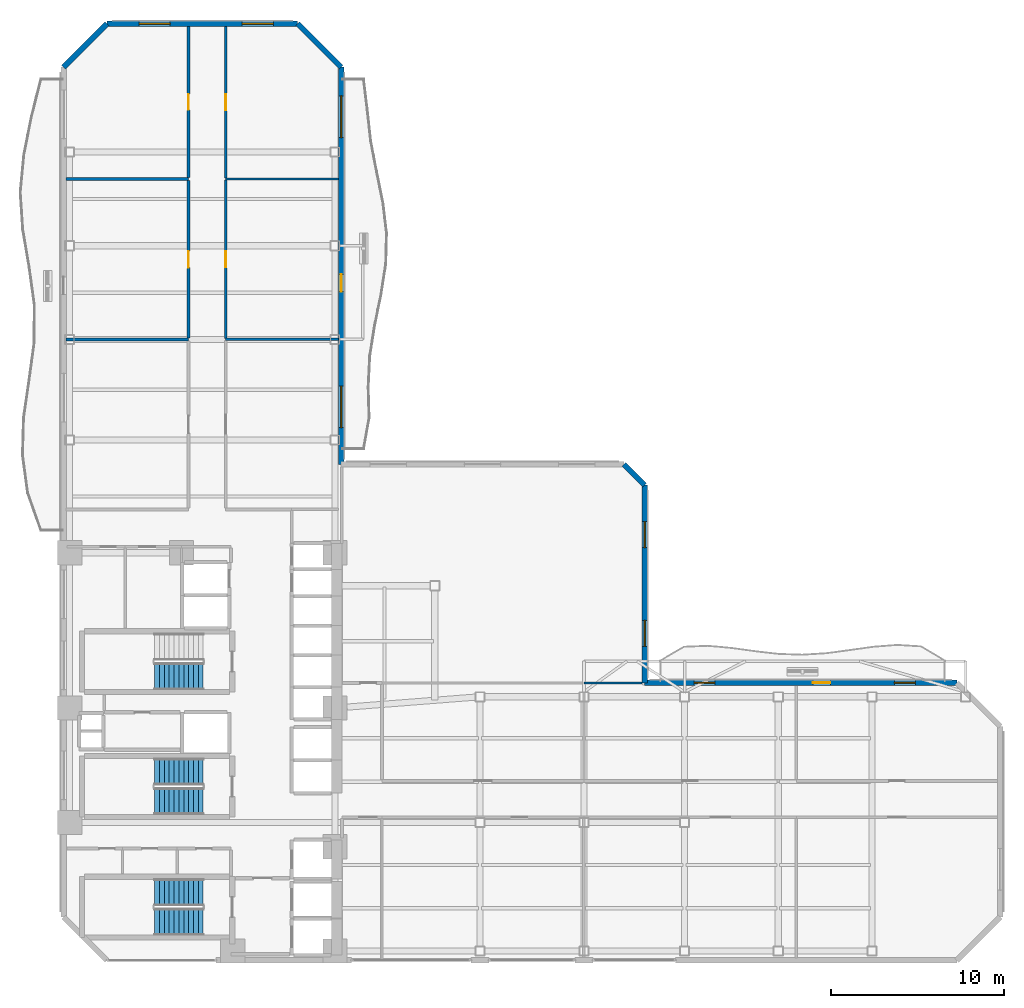
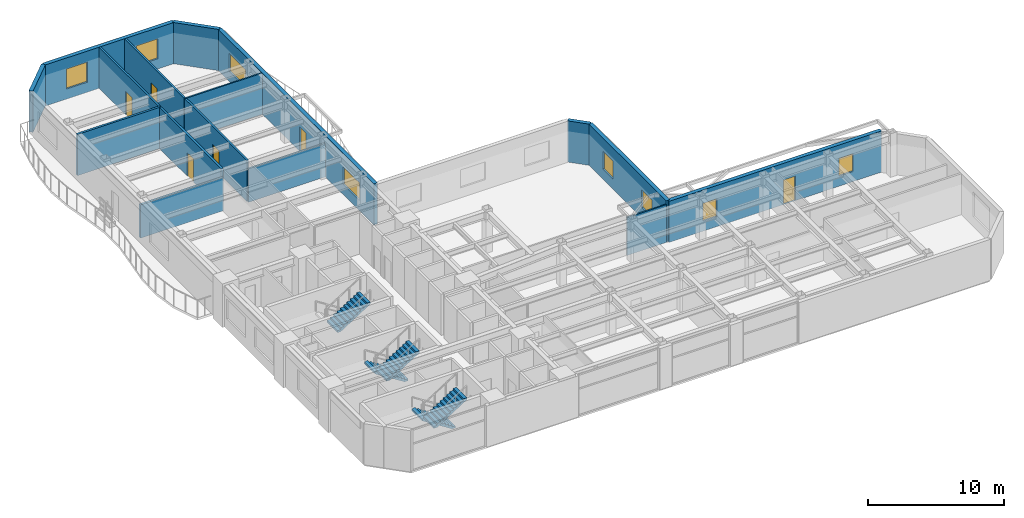
# One storey, part 12 of 16: 16 walls, 8 windows, 6 doors, 5 stair flights, 14 openings, 3 elements without a shape of their own.
"""IFC4 building model written with IfcOpenShell, lengths in metres."""

from ifc_helpers import new_model, si_unit, direction, frame, frame_2d, origin, place, context, subcontext, project, spatial, polyline, rectangle, outline, extrude, material, layer, layer_set, type_object, element, fill, aggregate, save


model = new_model("IFC4")

# Units and contexts
model_context = context("Model", 3, precision=1e-05, world=origin(), true_north=direction((0.0, 1.0)))
body_context = subcontext(model_context, "Body", "Model", "MODEL_VIEW")
ifc_project = project(units=[si_unit("LENGTHUNIT", "METRE"), si_unit("AREAUNIT", "SQUARE_METRE"), si_unit("VOLUMEUNIT", "CUBIC_METRE"), si_unit("PLANEANGLEUNIT", "RADIAN"), si_unit("MASSUNIT", "GRAM", prefix="KILO")], contexts=[model_context])

# Site, building, storey
site_placement = place(None, origin())
site = spatial("IfcSite", under=ifc_project, at=site_placement, CompositionType="ELEMENT")
building_placement = place(site_placement, origin())
building = spatial("IfcBuilding", under=site, at=building_placement, Name="Mawjaban Terraces University", CompositionType="ELEMENT")
storey_placement = place(building_placement, frame((0.0, 0.0, 38.800048828125)))
storey = spatial("IfcBuildingStorey", under=building, at=storey_placement, Name="L08", CompositionType="ELEMENT", Elevation=38.800048828125)

# Walls
ifc_material_1 = material(Name="Acoustic masonry blockwork", Category="masonry")
ifc_layer_1 = layer(ifc_material_1, 0.179931640625)
ifc_layer_set_1 = layer_set([ifc_layer_1], Name="Acoustic masonry blockwork")
wall_type_1 = type_object("IfcWallType", Name="AcousticStudioWall_180", PredefinedType="PARTITIONING", material=ifc_layer_set_1)
wall_1_placement = place(storey_placement, frame((29.199951171875, 35.800048828125, 0.0), z_axis=(0.0, 0.0, 1.0), x_axis=(-1.0, 0.0, 0.0)))
element("IfcWall", 1, at=wall_1_placement, inside=storey, type_object=wall_type_1, Name="L08 Classroom 8 Partition 10", PredefinedType="PARTITIONING", context=body_context, shape_type="SweptSolid", body=[
    extrude(rectangle(XDim=7.044921875, YDim=0.179931640625, at=frame_2d((3.5224609375, 0.0))), origin(), (0.0, 0.0, 1.0), 2.994873046875),
])
wall_2_placement = place(storey_placement, frame((29.199951171875, 45.0400390625, 0.0), z_axis=(0.0, 0.0, 1.0), x_axis=(-1.0, 0.0, 0.0)))
element("IfcWall", 2, at=wall_2_placement, inside=storey, type_object=wall_type_1, Name="L08 Design Studio 10 Partition 11", PredefinedType="PARTITIONING", context=body_context, shape_type="SweptSolid", body=[
    extrude(rectangle(XDim=7.044921875, YDim=0.179931640625, at=frame_2d((3.5224609375, 0.0))), origin(), (0.0, 0.0, 1.0), 3.68994140625),
])

# Wall, opening, door
wall_3_placement = place(storey_placement, frame((29.199951171875, 44.955078125, 0.0), z_axis=(0.0, 0.0, 1.0), x_axis=(0.0, -1.0, 0.0)))
wall_3 = element("IfcWall", 3, at=wall_3_placement, inside=storey, type_object=wall_type_1, Name="L08 North Academic Spine Corridor Partition 34", PredefinedType="PARTITIONING", context=body_context, shape_type="SweptSolid", body=[
    extrude(rectangle(XDim=9.070068359375, YDim=0.179931640625, at=frame_2d((4.53515625, 0.0))), origin(), (0.0, 0.0, 1.0), 3.68994140625),
])
opening_1_placement = place(wall_3_placement, frame((4.06005859375, 0.0, 0.0)))
opening_1 = element("IfcOpeningElement", 4, at=opening_1_placement, cuts=wall_3, Name="Opening ID-095", PredefinedType="OPENING", context=body_context, shape_type="SweptSolid", body=[
    extrude(rectangle(XDim=0.949951171875, YDim=2.10009765625, at=frame_2d((0.47509765625, 1.050048828125))), frame((0.0, 0.099853515625, 0.0), z_axis=(0.0, -1.0, 0.0), x_axis=(1.0, 0.0, 0.0)), (0.0, 0.0, 1.0), 0.199951171875),
])
ifc_material_2 = material(Name="Powder-coated steel frame and solid acoustic timber leaf", Category="steel")
door_type_1 = type_object("IfcDoorType", Name="StudioDoor_950x2100", OperationType="NOTDEFINED", PredefinedType="DOOR", material=ifc_material_2)
door_1_placement = place(opening_1_placement, origin())
door_1 = element("IfcDoor", 5, at=door_1_placement, inside=storey, type_object=door_type_1, Name="L08 Design Studio 10 Door", OperationType="SINGLE_SWING_LEFT", OverallHeight=2.10009765625, OverallWidth=0.949951171875, PredefinedType="DOOR", context=body_context, shape_type="SweptSolid", body=[
    extrude(rectangle(XDim=0.949951171875, YDim=2.10009765625, at=frame_2d((0.47509765625, 1.050048828125))), frame((0.0, 0.02490234375, 0.0), z_axis=(0.0, -1.0, 0.0), x_axis=(1.0, 0.0, 0.0)), (0.0, 0.0, 1.0), 0.050048828125),
])
fill(opening_1, door_1)

ifc_material_3 = material(Name="Fire-rated gypsum board on steel stud", Category="steel")
ifc_layer_2 = layer(ifc_material_3, 0.159912109375)
ifc_layer_set_2 = layer_set([ifc_layer_2], Name="Fire-rated gypsum board on steel stud")
wall_type_2 = type_object("IfcWallType", Name="CorridorPartition_160", PredefinedType="PARTITIONING", material=ifc_layer_set_2)
wall_4_placement = place(storey_placement, frame((29.199951171875, 53.844970703125, 0.0), z_axis=(0.0, 0.0, 1.0), x_axis=(0.0, -1.0, 0.0)))
wall_4 = element("IfcWall", 6, at=wall_4_placement, inside=storey, type_object=wall_type_2, Name="L08 North Academic Spine Corridor Partition 35", PredefinedType="PARTITIONING", context=body_context, shape_type="SweptSolid", body=[
    extrude(rectangle(XDim=8.719970703125, YDim=0.159912109375, at=frame_2d((4.35986328125, 0.0))), origin(), (0.0, 0.0, 1.0), 3.68994140625),
])
opening_2_placement = place(wall_4_placement, frame((3.909912109375, 0.0, 0.0)))
opening_2 = element("IfcOpeningElement", 7, at=opening_2_placement, cuts=wall_4, Name="Opening ID-090", PredefinedType="OPENING", context=body_context, shape_type="SweptSolid", body=[
    extrude(rectangle(XDim=0.89990234375, YDim=2.10009765625, at=frame_2d((0.449951171875, 1.050048828125))), frame((0.0, 0.08984375, 0.0), z_axis=(0.0, -1.0, 0.0), x_axis=(1.0, 0.0, 0.0)), (0.0, 0.0, 1.0), 0.179931640625),
])
door_type_2 = type_object("IfcDoorType", Name="OfficeDoor_900x2100", OperationType="NOTDEFINED", PredefinedType="DOOR", material=ifc_material_2)
door_2_placement = place(opening_2_placement, origin())
door_2 = element("IfcDoor", 8, at=door_2_placement, inside=storey, type_object=door_type_2, Name="L08 Quiet Reading Room 12 Door", OperationType="SINGLE_SWING_LEFT", OverallHeight=2.10009765625, OverallWidth=0.89990234375, PredefinedType="DOOR", context=body_context, shape_type="SweptSolid", body=[
    extrude(rectangle(XDim=0.89990234375, YDim=2.10009765625, at=frame_2d((0.449951171875, 1.050048828125))), frame((0.0, 0.02490234375, 0.0), z_axis=(0.0, -1.0, 0.0), x_axis=(1.0, 0.0, 0.0)), (0.0, 0.0, 1.0), 0.050048828125),
])
fill(opening_2, door_2)

wall_5_placement = place(storey_placement, frame((31.35009765625, 35.866943359375, 0.0), z_axis=(0.0, 0.0, 1.0), x_axis=(0.0, 1.0, 0.0)))
wall_5 = element("IfcWall", 9, at=wall_5_placement, inside=storey, type_object=wall_type_2, Name="L08 North Academic Spine Corridor Partition 37", PredefinedType="PARTITIONING", context=body_context, shape_type="SweptSolid", body=[
    extrude(rectangle(XDim=9.115966796875, YDim=0.159912109375, at=frame_2d((4.55810546875, 0.0))), origin(), (0.0, 0.0, 1.0), 3.68994140625),
])
opening_3_placement = place(wall_5_placement, frame((4.10791015625, 0.0, 0.0)))
opening_3 = element("IfcOpeningElement", 10, at=opening_3_placement, cuts=wall_5, Name="Opening ID-090", PredefinedType="OPENING", context=body_context, shape_type="SweptSolid", body=[
    extrude(rectangle(XDim=0.89990234375, YDim=2.10009765625, at=frame_2d((0.449951171875, 1.050048828125))), frame((0.0, 0.08984375, 0.0), z_axis=(0.0, -1.0, 0.0), x_axis=(1.0, 0.0, 0.0)), (0.0, 0.0, 1.0), 0.179931640625),
])
door_3_placement = place(opening_3_placement, origin())
door_3 = element("IfcDoor", 11, at=door_3_placement, inside=storey, type_object=door_type_2, Name="L08 Faculty Office 11 Door", OperationType="SINGLE_SWING_RIGHT", OverallHeight=2.10009765625, OverallWidth=0.89990234375, PredefinedType="DOOR", context=body_context, shape_type="SweptSolid", body=[
    extrude(rectangle(XDim=0.89990234375, YDim=2.10009765625, at=frame_2d((0.449951171875, 1.050048828125))), frame((0.0, 0.02490234375, 0.0), z_axis=(0.0, -1.0, 0.0), x_axis=(1.0, 0.0, 0.0)), (0.0, 0.0, 1.0), 0.050048828125),
])
fill(opening_3, door_3)

wall_6_placement = place(storey_placement, frame((31.35009765625, 45.096923828125, 0.0), z_axis=(0.0, 0.0, 1.0), x_axis=(0.0, 1.0, 0.0)))
wall_6 = element("IfcWall", 12, at=wall_6_placement, inside=storey, type_object=wall_type_2, Name="L08 North Academic Spine Corridor Partition 38", PredefinedType="PARTITIONING", context=body_context, shape_type="SweptSolid", body=[
    extrude(rectangle(XDim=8.748046875, YDim=0.159912109375, at=frame_2d((4.3740234375, 0.0))), origin(), (0.0, 0.0, 1.0), 3.68994140625),
])
opening_4_placement = place(wall_6_placement, frame((3.924072265625, 0.0, 0.0)))
opening_4 = element("IfcOpeningElement", 13, at=opening_4_placement, cuts=wall_6, Name="Opening ID-090", PredefinedType="OPENING", context=body_context, shape_type="SweptSolid", body=[
    extrude(rectangle(XDim=0.89990234375, YDim=2.10009765625, at=frame_2d((0.449951171875, 1.050048828125))), frame((0.0, 0.08984375, 0.0), z_axis=(0.0, -1.0, 0.0), x_axis=(1.0, 0.0, 0.0)), (0.0, 0.0, 1.0), 0.179931640625),
])
door_4_placement = place(opening_4_placement, origin())
door_4 = element("IfcDoor", 14, at=door_4_placement, inside=storey, type_object=door_type_2, Name="L08 Collaborative Study Room 13 Door", OperationType="SINGLE_SWING_RIGHT", OverallHeight=2.10009765625, OverallWidth=0.89990234375, PredefinedType="DOOR", context=body_context, shape_type="SweptSolid", body=[
    extrude(rectangle(XDim=0.89990234375, YDim=2.10009765625, at=frame_2d((0.449951171875, 1.050048828125))), frame((0.0, 0.02490234375, 0.0), z_axis=(0.0, -1.0, 0.0), x_axis=(1.0, 0.0, 0.0)), (0.0, 0.0, 1.0), 0.050048828125),
])
fill(opening_4, door_4)

# Wall, openings, door, windows
ifc_material_4 = material(Name="Insulated terracotta rainscreen on concrete backup C40/50", Category="masonry")
ifc_layer_3 = layer(ifc_material_4, 0.320068359375)
ifc_layer_set_3 = layer_set([ifc_layer_3], Name="Insulated terracotta rainscreen on concrete backup C40/50")
wall_type_3 = type_object("IfcWallType", Name="ExtTerracottaWall_320", PredefinedType="SOLIDWALL", material=ifc_layer_set_3)
wall_7_placement = place(storey_placement, frame((73.5, 16.0, 0.0), z_axis=(0.0, 0.0, 1.0), x_axis=(-1.0, 0.0, 0.0)))
wall_7 = element("IfcWall", 15, at=wall_7_placement, inside=storey, type_object=wall_type_3, Name="L08 Exterior Terracotta Wall 5", PredefinedType="SOLIDWALL", context=body_context, shape_type="SweptSolid", body=[
    extrude(rectangle(XDim=18.0, YDim=0.320068359375, at=frame_2d((9.0, 0.0))), origin(), (0.0, 0.0, 1.0), 3.68994140625),
])
opening_5_placement = place(wall_7_placement, frame((7.300048828125, 0.0, 0.0)))
opening_5 = element("IfcOpeningElement", 16, at=opening_5_placement, cuts=wall_7, Name="Opening BD-100", PredefinedType="OPENING", context=body_context, shape_type="SweptSolid", body=[
    extrude(rectangle(XDim=1.0, YDim=2.199951171875, at=frame_2d((0.5, 1.10009765625))), frame((0.0, 0.169921875, 0.0), z_axis=(0.0, -1.0, 0.0), x_axis=(1.0, 0.0, 0.0)), (0.0, 0.0, 1.0), 0.340087890625),
])
opening_6_placement = place(wall_7_placement, frame((2.39990234375, 0.0, 0.89990234375)))
opening_6 = element("IfcOpeningElement", 17, at=opening_6_placement, cuts=wall_7, Name="Opening W-01", PredefinedType="OPENING", context=body_context, shape_type="SweptSolid", body=[
    extrude(rectangle(XDim=1.199951171875, YDim=1.60009765625, at=frame_2d((0.60009765625, 0.800048828125))), frame((0.0, 0.169921875, 0.0), z_axis=(0.0, -1.0, 0.0), x_axis=(1.0, 0.0, 0.0)), (0.0, 0.0, 1.0), 0.340087890625),
])
opening_7_placement = place(wall_7_placement, frame((13.949951171875, 0.0, 0.89990234375)))
opening_7 = element("IfcOpeningElement", 18, at=opening_7_placement, cuts=wall_7, Name="Opening W-01", PredefinedType="OPENING", context=body_context, shape_type="SweptSolid", body=[
    extrude(rectangle(XDim=1.199951171875, YDim=1.60009765625, at=frame_2d((0.60009765625, 0.800048828125))), frame((0.0, 0.169921875, 0.0), z_axis=(0.0, -1.0, 0.0), x_axis=(1.0, 0.0, 0.0)), (0.0, 0.0, 1.0), 0.340087890625),
])
ifc_material_5 = material(Name="Thermally broken anodised aluminium and laminated safety glass", Category="aluminium")
door_type_3 = type_object("IfcDoorType", Name="BalconyGlazedDoor_1000x2200", OperationType="NOTDEFINED", PredefinedType="DOOR", material=ifc_material_5)
door_5_placement = place(opening_5_placement, origin())
door_5 = element("IfcDoor", 19, at=door_5_placement, inside=storey, type_object=door_type_3, Name="L08 Balcony Access Door inner_north", OperationType="SINGLE_SWING_LEFT", OverallHeight=2.199951171875, OverallWidth=1.0, PredefinedType="DOOR", context=body_context, shape_type="SweptSolid", body=[
    extrude(rectangle(XDim=1.0, YDim=2.199951171875, at=frame_2d((0.5, 1.10009765625))), frame((0.0, 0.02490234375, 0.0), z_axis=(0.0, -1.0, 0.0), x_axis=(1.0, 0.0, 0.0)), (0.0, 0.0, 1.0), 0.050048828125),
])
fill(opening_5, door_5)
ifc_material_6 = material(Name="Low-E solar-control double glazing in thermally broken aluminium frame", Category="aluminium")
window_type_1 = type_object("IfcWindowType", Name="Win_1200x1600", PartitioningType="SINGLE_PANEL", PredefinedType="WINDOW", material=ifc_material_6)
window_1_placement = place(opening_6_placement, origin())
window_1 = element("IfcWindow", 20, at=window_1_placement, inside=storey, type_object=window_type_1, Name="L08 Facade Window 5.1", OverallHeight=1.60009765625, OverallWidth=1.199951171875, PartitioningType="SINGLE_PANEL", PredefinedType="WINDOW", context=body_context, shape_type="SweptSolid", body=[
    extrude(rectangle(XDim=1.199951171875, YDim=1.60009765625, at=frame_2d((0.60009765625, 0.800048828125))), frame((0.0, 0.030029296875, 0.0), z_axis=(0.0, -1.0, 0.0), x_axis=(1.0, 0.0, 0.0)), (0.0, 0.0, 1.0), 0.06005859375),
])
fill(opening_6, window_1)
window_2_placement = place(opening_7_placement, origin())
window_2 = element("IfcWindow", 21, at=window_2_placement, inside=storey, type_object=window_type_1, Name="L08 Facade Window 5.3", OverallHeight=1.60009765625, OverallWidth=1.199951171875, PartitioningType="SINGLE_PANEL", PredefinedType="WINDOW", context=body_context, shape_type="SweptSolid", body=[
    extrude(rectangle(XDim=1.199951171875, YDim=1.60009765625, at=frame_2d((0.60009765625, 0.800048828125))), frame((0.0, 0.030029296875, 0.0), z_axis=(0.0, -1.0, 0.0), x_axis=(1.0, 0.0, 0.0)), (0.0, 0.0, 1.0), 0.06005859375),
])
fill(opening_7, window_2)

# Wall, openings, windows
wall_8_placement = place(storey_placement, frame((55.5, 16.0, 0.0), z_axis=(0.0, 0.0, 1.0), x_axis=(0.0, 1.0, 0.0)))
wall_8 = element("IfcWall", 22, at=wall_8_placement, inside=storey, type_object=wall_type_3, Name="L08 Exterior Terracotta Wall 6", PredefinedType="SOLIDWALL", context=body_context, shape_type="SweptSolid", body=[
    extrude(rectangle(XDim=11.39990234375, YDim=0.320068359375, at=frame_2d((5.699951171875, 0.0))), origin(), (0.0, 0.0, 1.0), 3.68994140625),
])
opening_8_placement = place(wall_8_placement, frame((2.10009765625, 0.0, 0.89990234375)))
opening_8 = element("IfcOpeningElement", 23, at=opening_8_placement, cuts=wall_8, Name="Opening W-02", PredefinedType="OPENING", context=body_context, shape_type="SweptSolid", body=[
    extrude(rectangle(XDim=1.5, YDim=1.60009765625, at=frame_2d((0.75, 0.800048828125))), frame((0.0, 0.169921875, 0.0), z_axis=(0.0, -1.0, 0.0), x_axis=(1.0, 0.0, 0.0)), (0.0, 0.0, 1.0), 0.340087890625),
])
opening_9_placement = place(wall_8_placement, frame((7.800048828125, 0.0, 0.89990234375)))
opening_9 = element("IfcOpeningElement", 24, at=opening_9_placement, cuts=wall_8, Name="Opening W-02", PredefinedType="OPENING", context=body_context, shape_type="SweptSolid", body=[
    extrude(rectangle(XDim=1.5, YDim=1.60009765625, at=frame_2d((0.75, 0.800048828125))), frame((0.0, 0.169921875, 0.0), z_axis=(0.0, -1.0, 0.0), x_axis=(1.0, 0.0, 0.0)), (0.0, 0.0, 1.0), 0.340087890625),
])
window_type_2 = type_object("IfcWindowType", Name="Win_1500x1600", PartitioningType="SINGLE_PANEL", PredefinedType="WINDOW", material=ifc_material_6)
window_3_placement = place(opening_8_placement, origin())
window_3 = element("IfcWindow", 25, at=window_3_placement, inside=storey, type_object=window_type_2, Name="L08 Facade Window 6.1", OverallHeight=1.60009765625, OverallWidth=1.5, PartitioningType="SINGLE_PANEL", PredefinedType="WINDOW", context=body_context, shape_type="SweptSolid", body=[
    extrude(rectangle(XDim=1.5, YDim=1.60009765625, at=frame_2d((0.75, 0.800048828125))), frame((0.0, 0.030029296875, 0.0), z_axis=(0.0, -1.0, 0.0), x_axis=(1.0, 0.0, 0.0)), (0.0, 0.0, 1.0), 0.06005859375),
])
fill(opening_8, window_3)
window_4_placement = place(opening_9_placement, origin())
window_4 = element("IfcWindow", 26, at=window_4_placement, inside=storey, type_object=window_type_2, Name="L08 Facade Window 6.2", OverallHeight=1.60009765625, OverallWidth=1.5, PartitioningType="SINGLE_PANEL", PredefinedType="WINDOW", context=body_context, shape_type="SweptSolid", body=[
    extrude(rectangle(XDim=1.5, YDim=1.60009765625, at=frame_2d((0.75, 0.800048828125))), frame((0.0, 0.030029296875, 0.0), z_axis=(0.0, -1.0, 0.0), x_axis=(1.0, 0.0, 0.0)), (0.0, 0.0, 1.0), 0.06005859375),
])
fill(opening_9, window_4)

# Wall
wall_9_placement = place(storey_placement, frame((55.5, 27.39990234375, 0.0), z_axis=(0.0, 0.0, 1.0), x_axis=(-0.707034851297, 0.707178703759, 0.0)))
element("IfcWall", 27, at=wall_9_placement, inside=storey, type_object=wall_type_3, Name="L08 Exterior Terracotta Wall 7", PredefinedType="SOLIDWALL", context=body_context, shape_type="SweptSolid", body=[
    extrude(rectangle(XDim=1.697265625, YDim=0.320068359375, at=frame_2d((0.8486328125, 0.0))), origin(), (0.0, 0.0, 1.0), 3.68994140625),
])

# Wall, openings, door, windows
wall_10_placement = place(storey_placement, frame((38.0, 28.60009765625, 0.0), z_axis=(0.0, 0.0, 1.0), x_axis=(0.0, 1.0, 0.0)))
wall_10 = element("IfcWall", 28, at=wall_10_placement, inside=storey, type_object=wall_type_3, Name="L08 Exterior Terracotta Wall 9", PredefinedType="SOLIDWALL", context=body_context, shape_type="SweptSolid", body=[
    extrude(rectangle(XDim=22.89990234375, YDim=0.320068359375, at=frame_2d((11.449951171875, 0.0))), origin(), (0.0, 0.0, 1.0), 3.68994140625),
])
opening_10_placement = place(wall_10_placement, frame((9.949951171875, 0.0, 0.0)))
opening_10 = element("IfcOpeningElement", 29, at=opening_10_placement, cuts=wall_10, Name="Opening BD-100", PredefinedType="OPENING", context=body_context, shape_type="SweptSolid", body=[
    extrude(rectangle(XDim=1.0, YDim=2.199951171875, at=frame_2d((0.5, 1.10009765625))), frame((0.0, 0.169921875, 0.0), z_axis=(0.0, -1.0, 0.0), x_axis=(1.0, 0.0, 0.0)), (0.0, 0.0, 1.0), 0.340087890625),
])
opening_11_placement = place(wall_10_placement, frame((2.112060546875, 0.0, 0.89990234375)))
opening_11 = element("IfcOpeningElement", 30, at=opening_11_placement, cuts=wall_10, Name="Opening W-05", PredefinedType="OPENING", context=body_context, shape_type="SweptSolid", body=[
    extrude(rectangle(XDim=2.39990234375, YDim=1.60009765625, at=frame_2d((1.199951171875, 0.800048828125))), frame((0.0, 0.169921875, 0.0), z_axis=(0.0, -1.0, 0.0), x_axis=(1.0, 0.0, 0.0)), (0.0, 0.0, 1.0), 0.340087890625),
])
opening_12_placement = place(wall_10_placement, frame((18.8369140625, 0.0, 0.89990234375)))
opening_12 = element("IfcOpeningElement", 31, at=opening_12_placement, cuts=wall_10, Name="Opening W-05", PredefinedType="OPENING", context=body_context, shape_type="SweptSolid", body=[
    extrude(rectangle(XDim=2.39990234375, YDim=1.60009765625, at=frame_2d((1.199951171875, 0.800048828125))), frame((0.0, 0.169921875, 0.0), z_axis=(0.0, -1.0, 0.0), x_axis=(1.0, 0.0, 0.0)), (0.0, 0.0, 1.0), 0.340087890625),
])
door_6_placement = place(opening_10_placement, origin())
door_6 = element("IfcDoor", 32, at=door_6_placement, inside=storey, type_object=door_type_3, Name="L08 Balcony Access Door inner_east", OperationType="SINGLE_SWING_LEFT", OverallHeight=2.199951171875, OverallWidth=1.0, PredefinedType="DOOR", context=body_context, shape_type="SweptSolid", body=[
    extrude(rectangle(XDim=1.0, YDim=2.199951171875, at=frame_2d((0.5, 1.10009765625))), frame((0.0, 0.02490234375, 0.0), z_axis=(0.0, -1.0, 0.0), x_axis=(1.0, 0.0, 0.0)), (0.0, 0.0, 1.0), 0.050048828125),
])
fill(opening_10, door_6)
window_type_3 = type_object("IfcWindowType", Name="Win_2400x1600", PartitioningType="SINGLE_PANEL", PredefinedType="WINDOW", material=ifc_material_6)
window_5_placement = place(opening_11_placement, origin())
window_5 = element("IfcWindow", 33, at=window_5_placement, inside=storey, type_object=window_type_3, Name="L08 Facade Window 9.1", OverallHeight=1.60009765625, OverallWidth=2.39990234375, PartitioningType="SINGLE_PANEL", PredefinedType="WINDOW", context=body_context, shape_type="SweptSolid", body=[
    extrude(rectangle(XDim=2.39990234375, YDim=1.60009765625, at=frame_2d((1.199951171875, 0.800048828125))), frame((0.0, 0.030029296875, 0.0), z_axis=(0.0, -1.0, 0.0), x_axis=(1.0, 0.0, 0.0)), (0.0, 0.0, 1.0), 0.06005859375),
])
fill(opening_11, window_5)
window_6_placement = place(opening_12_placement, origin())
window_6 = element("IfcWindow", 34, at=window_6_placement, inside=storey, type_object=window_type_3, Name="L08 Facade Window 9.4", OverallHeight=1.60009765625, OverallWidth=2.39990234375, PartitioningType="SINGLE_PANEL", PredefinedType="WINDOW", context=body_context, shape_type="SweptSolid", body=[
    extrude(rectangle(XDim=2.39990234375, YDim=1.60009765625, at=frame_2d((1.199951171875, 0.800048828125))), frame((0.0, 0.030029296875, 0.0), z_axis=(0.0, -1.0, 0.0), x_axis=(1.0, 0.0, 0.0)), (0.0, 0.0, 1.0), 0.06005859375),
])
fill(opening_12, window_6)

# Wall
wall_11_placement = place(storey_placement, frame((38.0, 51.5, 0.0), z_axis=(0.0, 0.0, 1.0), x_axis=(-0.707106781187, 0.707106781187, 0.0)))
element("IfcWall", 35, at=wall_11_placement, inside=storey, type_object=wall_type_3, Name="L08 Exterior Terracotta Wall 10", PredefinedType="SOLIDWALL", context=body_context, shape_type="SweptSolid", body=[
    extrude(rectangle(XDim=3.53564453125, YDim=0.320068359375, at=frame_2d((1.767822265625, 0.0))), origin(), (0.0, 0.0, 1.0), 3.68994140625),
])

# Wall, openings, windows
wall_12_placement = place(storey_placement, frame((35.5, 54.0, 0.0), z_axis=(0.0, 0.0, 1.0), x_axis=(-1.0, 0.0, 0.0)))
wall_12 = element("IfcWall", 36, at=wall_12_placement, inside=storey, type_object=wall_type_3, Name="L08 Exterior Terracotta Wall 11", PredefinedType="SOLIDWALL", context=body_context, shape_type="SweptSolid", body=[
    extrude(rectangle(XDim=11.0, YDim=0.320068359375, at=frame_2d((5.5, 0.0))), origin(), (0.0, 0.0, 1.0), 3.68994140625),
])
opening_13_placement = place(wall_12_placement, frame((1.39990234375, 0.0, 0.89990234375)))
opening_13 = element("IfcOpeningElement", 37, at=opening_13_placement, cuts=wall_12, Name="Opening W-07", PredefinedType="OPENING", context=body_context, shape_type="SweptSolid", body=[
    extrude(rectangle(XDim=1.800048828125, YDim=1.800048828125, at=frame_2d((0.89990234375, 0.89990234375))), frame((0.0, 0.169921875, 0.0), z_axis=(0.0, -1.0, 0.0), x_axis=(1.0, 0.0, 0.0)), (0.0, 0.0, 1.0), 0.340087890625),
])
opening_14_placement = place(wall_12_placement, frame((7.35009765625, 0.0, 0.89990234375)))
opening_14 = element("IfcOpeningElement", 38, at=opening_14_placement, cuts=wall_12, Name="Opening W-07", PredefinedType="OPENING", context=body_context, shape_type="SweptSolid", body=[
    extrude(rectangle(XDim=1.800048828125, YDim=1.800048828125, at=frame_2d((0.89990234375, 0.89990234375))), frame((0.0, 0.169921875, 0.0), z_axis=(0.0, -1.0, 0.0), x_axis=(1.0, 0.0, 0.0)), (0.0, 0.0, 1.0), 0.340087890625),
])
window_type_4 = type_object("IfcWindowType", Name="Win_1800x1800", PartitioningType="SINGLE_PANEL", PredefinedType="WINDOW", material=ifc_material_6)
window_7_placement = place(opening_13_placement, origin())
window_7 = element("IfcWindow", 39, at=window_7_placement, inside=storey, type_object=window_type_4, Name="L08 Facade Window 11.1", OverallHeight=1.800048828125, OverallWidth=1.800048828125, PartitioningType="SINGLE_PANEL", PredefinedType="WINDOW", context=body_context, shape_type="SweptSolid", body=[
    extrude(rectangle(XDim=1.800048828125, YDim=1.800048828125, at=frame_2d((0.89990234375, 0.89990234375))), frame((0.0, 0.030029296875, 0.0), z_axis=(0.0, -1.0, 0.0), x_axis=(1.0, 0.0, 0.0)), (0.0, 0.0, 1.0), 0.06005859375),
])
fill(opening_13, window_7)
window_8_placement = place(opening_14_placement, origin())
window_8 = element("IfcWindow", 40, at=window_8_placement, inside=storey, type_object=window_type_4, Name="L08 Facade Window 11.2", OverallHeight=1.800048828125, OverallWidth=1.800048828125, PartitioningType="SINGLE_PANEL", PredefinedType="WINDOW", context=body_context, shape_type="SweptSolid", body=[
    extrude(rectangle(XDim=1.800048828125, YDim=1.800048828125, at=frame_2d((0.89990234375, 0.89990234375))), frame((0.0, 0.030029296875, 0.0), z_axis=(0.0, -1.0, 0.0), x_axis=(1.0, 0.0, 0.0)), (0.0, 0.0, 1.0), 0.06005859375),
])
fill(opening_14, window_8)

# Walls
wall_13_placement = place(storey_placement, frame((24.5, 54.0, 0.0), z_axis=(0.0, 0.0, 1.0), x_axis=(-0.707106781187, -0.707106781187, 0.0)))
element("IfcWall", 41, at=wall_13_placement, inside=storey, type_object=wall_type_3, Name="L08 Exterior Terracotta Wall 12", PredefinedType="SOLIDWALL", context=body_context, shape_type="SweptSolid", body=[
    extrude(rectangle(XDim=3.53564453125, YDim=0.320068359375, at=frame_2d((1.767822265625, 0.0))), origin(), (0.0, 0.0, 1.0), 3.68994140625),
])
ifc_material_7 = material(Name="Moisture-resistant gypsum board on steel stud", Category="steel")
ifc_layer_4 = layer(ifc_material_7, 0.14501953125)
ifc_layer_set_4 = layer_set([ifc_layer_4], Name="Moisture-resistant gypsum board on steel stud")
wall_type_4 = type_object("IfcWallType", Name="LabPartition_145", PredefinedType="PARTITIONING", material=ifc_layer_set_4)
wall_14_placement = place(storey_placement, frame((37.844970703125, 35.800048828125, 0.0), z_axis=(0.0, 0.0, 1.0), x_axis=(-1.0, 0.0, 0.0)))
element("IfcWall", 42, at=wall_14_placement, inside=storey, type_object=wall_type_4, Name="L08 Computational Laboratory 9 Partition 16", PredefinedType="PARTITIONING", context=body_context, shape_type="SweptSolid", body=[
    extrude(rectangle(XDim=6.494873046875, YDim=0.14501953125, at=frame_2d((3.24755859375, 0.0))), origin(), (0.0, 0.0, 1.0), 2.994873046875),
])
ifc_material_8 = material(Name="Gypsum plasterboard on steel stud", Category="steel")
ifc_layer_5 = layer(ifc_material_8, 0.125)
ifc_layer_set_5 = layer_set([ifc_layer_5], Name="Gypsum plasterboard on steel stud")
wall_type_5 = type_object("IfcWallType", Name="OfficePartition_125", PredefinedType="PARTITIONING", material=ifc_layer_set_5)
wall_15_placement = place(storey_placement, frame((37.844970703125, 45.0400390625, 0.0), z_axis=(0.0, 0.0, 1.0), x_axis=(-1.0, 0.0, 0.0)))
element("IfcWall", 43, at=wall_15_placement, inside=storey, type_object=wall_type_5, Name="L08 Faculty Office 11 Partition 17", PredefinedType="PARTITIONING", context=body_context, shape_type="SweptSolid", body=[
    extrude(rectangle(XDim=6.494873046875, YDim=0.125, at=frame_2d((3.24755859375, 0.0))), origin(), (0.0, 0.0, 1.0), 3.68994140625),
])
wall_16_placement = place(storey_placement, frame((52.0, 16.0, 0.0), z_axis=(0.0, 0.0, 1.0), x_axis=(1.0, 0.0, 0.0)))
element("IfcWall", 44, at=wall_16_placement, inside=storey, type_object=wall_type_5, Name="L08 Terrace Collaborative Study Room Partition 23", PredefinedType="PARTITIONING", context=body_context, shape_type="SweptSolid", body=[
    extrude(rectangle(XDim=3.344970703125, YDim=0.125, at=frame_2d((1.67236328125, 0.0))), origin(), (0.0, 0.0, 1.0), 3.389892578125),
])

# Stair, stair flights
ifc_material_9 = material(Name="Concrete C40/50", Category="concrete")
stair_type = type_object("IfcStairType", Name="Stair_Core1550_H39", PredefinedType="HALF_TURN_STAIR", material=ifc_material_9)
stair_1_placement = place(storey_placement, origin())
stair_1 = element("IfcStair", 45, at=stair_1_placement, inside=storey, type_object=stair_type, Name="L08 Core Exit Stair 1", PredefinedType="HALF_TURN_STAIR")
stair_flight_type = type_object("IfcStairFlightType", Name="Flight_Core1550_H39", PredefinedType="STRAIGHT", material=ifc_material_9)
stair_flight_1_placement = place(storey_placement, frame((30.050048828125, 3.925048828125, 0.0), z_axis=(0.0, 0.0, 1.0), x_axis=(-1.0, 0.0, 0.0)))
stair_flight_1 = element("IfcStairFlight", 46, at=stair_flight_1_placement, type_object=stair_flight_type, Name="ST-1 flight 1", NumberOfRisers=11, NumberOfTreads=10, PredefinedType="STRAIGHT", RiserHeight=0.177272727, TreadLength=0.28, context=body_context, shape_type="SweptSolid", body=[
    extrude(outline(polyline([(0.0, 0.0), (0.0, 0.17724609375), (0.280029296875, 0.17724609375), (0.280029296875, 0.3544921875), (0.56005859375, 0.3544921875), (0.56005859375, 0.53173828125), (0.840087890625, 0.53173828125), (0.840087890625, 0.708984375), (1.1201171875, 0.708984375), (1.1201171875, 0.886474609375), (1.39990234375, 0.886474609375), (1.39990234375, 1.063720703125), (1.679931640625, 1.063720703125), (1.679931640625, 1.240966796875), (1.9599609375, 1.240966796875), (1.9599609375, 1.418212890625), (2.239990234375, 1.418212890625), (2.239990234375, 1.595458984375), (2.52001953125, 1.595458984375), (2.52001953125, 1.772705078125), (2.800048828125, 1.772705078125), (2.800048828125, 1.949951171875), (2.800048828125, 1.59521484375), (0.2802734375, 0.0), (0.0, 0.0)])), frame((0.0, 0.77490234375, 0.0), z_axis=(0.0, -1.0, 0.0), x_axis=(1.0, 0.0, 0.0)), (0.0, 0.0, 1.0), 1.550048828125),
])
stair_flight_2_placement = place(storey_placement, frame((27.25, 2.22509765625, 1.949951171875), z_axis=(0.0, 0.0, 1.0), x_axis=(1.0, 0.0, 0.0)))
stair_flight_2 = element("IfcStairFlight", 47, at=stair_flight_2_placement, type_object=stair_flight_type, Name="ST-1 flight 2", NumberOfRisers=11, NumberOfTreads=10, PredefinedType="STRAIGHT", RiserHeight=0.177272727, TreadLength=0.28, context=body_context, shape_type="SweptSolid", body=[
    extrude(outline(polyline([(0.0, 0.0), (0.0, 0.17724609375), (0.280029296875, 0.17724609375), (0.280029296875, 0.3544921875), (0.56005859375, 0.3544921875), (0.56005859375, 0.53173828125), (0.840087890625, 0.53173828125), (0.840087890625, 0.708984375), (1.1201171875, 0.708984375), (1.1201171875, 0.886474609375), (1.39990234375, 0.886474609375), (1.39990234375, 1.063720703125), (1.679931640625, 1.063720703125), (1.679931640625, 1.240966796875), (1.9599609375, 1.240966796875), (1.9599609375, 1.418212890625), (2.239990234375, 1.418212890625), (2.239990234375, 1.595458984375), (2.52001953125, 1.595458984375), (2.52001953125, 1.772705078125), (2.800048828125, 1.772705078125), (2.800048828125, 1.949951171875), (2.800048828125, 1.59521484375), (0.2802734375, 0.0), (0.0, 0.0)])), frame((0.0, 0.77490234375, 0.0), z_axis=(0.0, -1.0, 0.0), x_axis=(1.0, 0.0, 0.0)), (0.0, 0.0, 1.0), 1.550048828125),
])
aggregate(stair_1, [stair_flight_1, stair_flight_2])

# Stair, stair flight
stair_2_placement = place(storey_placement, origin())
stair_2 = element("IfcStair", 48, at=stair_2_placement, inside=storey, type_object=stair_type, Name="L08 Core Exit Stair 2", PredefinedType="HALF_TURN_STAIR")
stair_flight_3_placement = place(storey_placement, frame((27.25, 16.375, 1.949951171875), z_axis=(0.0, 0.0, 1.0), x_axis=(1.0, 0.0, 0.0)))
stair_flight_3 = element("IfcStairFlight", 49, at=stair_flight_3_placement, type_object=stair_flight_type, Name="ST-2 flight 2", NumberOfRisers=11, NumberOfTreads=10, PredefinedType="STRAIGHT", RiserHeight=0.177272727, TreadLength=0.28, context=body_context, shape_type="SweptSolid", body=[
    extrude(outline(polyline([(0.0, 0.0), (0.0, 0.17724609375), (0.280029296875, 0.17724609375), (0.280029296875, 0.3544921875), (0.56005859375, 0.3544921875), (0.56005859375, 0.53173828125), (0.840087890625, 0.53173828125), (0.840087890625, 0.708984375), (1.1201171875, 0.708984375), (1.1201171875, 0.886474609375), (1.39990234375, 0.886474609375), (1.39990234375, 1.063720703125), (1.679931640625, 1.063720703125), (1.679931640625, 1.240966796875), (1.9599609375, 1.240966796875), (1.9599609375, 1.418212890625), (2.239990234375, 1.418212890625), (2.239990234375, 1.595458984375), (2.52001953125, 1.595458984375), (2.52001953125, 1.772705078125), (2.800048828125, 1.772705078125), (2.800048828125, 1.949951171875), (2.800048828125, 1.59521484375), (0.2802734375, 0.0), (0.0, 0.0)])), frame((0.0, 0.77490234375, 0.0), z_axis=(0.0, -1.0, 0.0), x_axis=(1.0, 0.0, 0.0)), (0.0, 0.0, 1.0), 1.550048828125),
])
aggregate(stair_2, [stair_flight_3])

# Stair, stair flights
stair_3_placement = place(storey_placement, origin())
stair_3 = element("IfcStair", 50, at=stair_3_placement, inside=storey, type_object=stair_type, Name="L08 Core Exit Stair 3", PredefinedType="HALF_TURN_STAIR")
stair_flight_4_placement = place(storey_placement, frame((30.050048828125, 10.875, 0.0), z_axis=(0.0, 0.0, 1.0), x_axis=(-1.0, 0.0, 0.0)))
stair_flight_4 = element("IfcStairFlight", 51, at=stair_flight_4_placement, type_object=stair_flight_type, Name="ST-3 flight 1", NumberOfRisers=11, NumberOfTreads=10, PredefinedType="STRAIGHT", RiserHeight=0.177272727, TreadLength=0.28, context=body_context, shape_type="SweptSolid", body=[
    extrude(outline(polyline([(0.0, 0.0), (0.0, 0.17724609375), (0.280029296875, 0.17724609375), (0.280029296875, 0.3544921875), (0.56005859375, 0.3544921875), (0.56005859375, 0.53173828125), (0.840087890625, 0.53173828125), (0.840087890625, 0.708984375), (1.1201171875, 0.708984375), (1.1201171875, 0.886474609375), (1.39990234375, 0.886474609375), (1.39990234375, 1.063720703125), (1.679931640625, 1.063720703125), (1.679931640625, 1.240966796875), (1.9599609375, 1.240966796875), (1.9599609375, 1.418212890625), (2.239990234375, 1.418212890625), (2.239990234375, 1.595458984375), (2.52001953125, 1.595458984375), (2.52001953125, 1.772705078125), (2.800048828125, 1.772705078125), (2.800048828125, 1.949951171875), (2.800048828125, 1.59521484375), (0.2802734375, 0.0), (0.0, 0.0)])), frame((0.0, 0.77490234375, 0.0), z_axis=(0.0, -1.0, 0.0), x_axis=(1.0, 0.0, 0.0)), (0.0, 0.0, 1.0), 1.550048828125),
])
stair_flight_5_placement = place(storey_placement, frame((27.25, 9.175048828125, 1.949951171875), z_axis=(0.0, 0.0, 1.0), x_axis=(1.0, 0.0, 0.0)))
stair_flight_5 = element("IfcStairFlight", 52, at=stair_flight_5_placement, type_object=stair_flight_type, Name="ST-3 flight 2", NumberOfRisers=11, NumberOfTreads=10, PredefinedType="STRAIGHT", RiserHeight=0.177272727, TreadLength=0.28, context=body_context, shape_type="SweptSolid", body=[
    extrude(outline(polyline([(0.0, 0.0), (0.0, 0.17724609375), (0.280029296875, 0.17724609375), (0.280029296875, 0.3544921875), (0.56005859375, 0.3544921875), (0.56005859375, 0.53173828125), (0.840087890625, 0.53173828125), (0.840087890625, 0.708984375), (1.1201171875, 0.708984375), (1.1201171875, 0.886474609375), (1.39990234375, 0.886474609375), (1.39990234375, 1.063720703125), (1.679931640625, 1.063720703125), (1.679931640625, 1.240966796875), (1.9599609375, 1.240966796875), (1.9599609375, 1.418212890625), (2.239990234375, 1.418212890625), (2.239990234375, 1.595458984375), (2.52001953125, 1.595458984375), (2.52001953125, 1.772705078125), (2.800048828125, 1.772705078125), (2.800048828125, 1.949951171875), (2.800048828125, 1.59521484375), (0.2802734375, 0.0), (0.0, 0.0)])), frame((0.0, 0.77490234375, 0.0), z_axis=(0.0, -1.0, 0.0), x_axis=(1.0, 0.0, 0.0)), (0.0, 0.0, 1.0), 1.550048828125),
])
aggregate(stair_3, [stair_flight_4, stair_flight_5])

save(model, "model.ifc")
